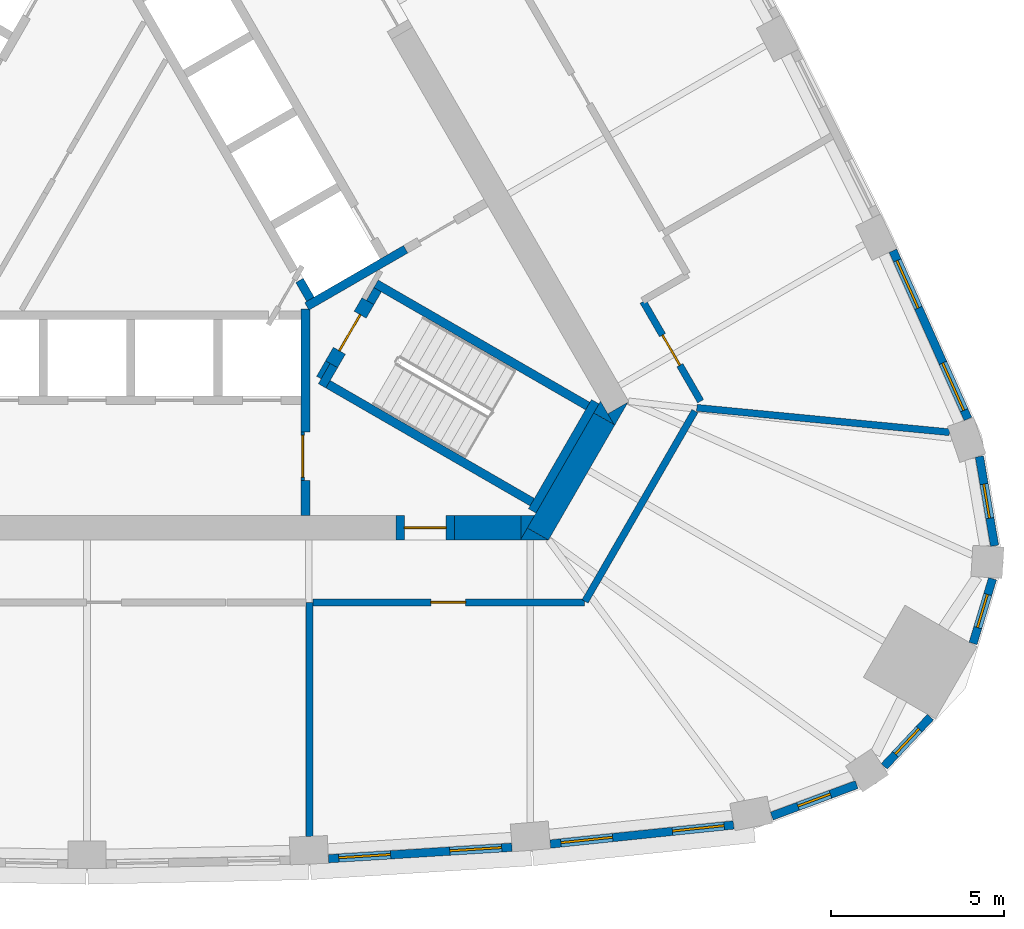
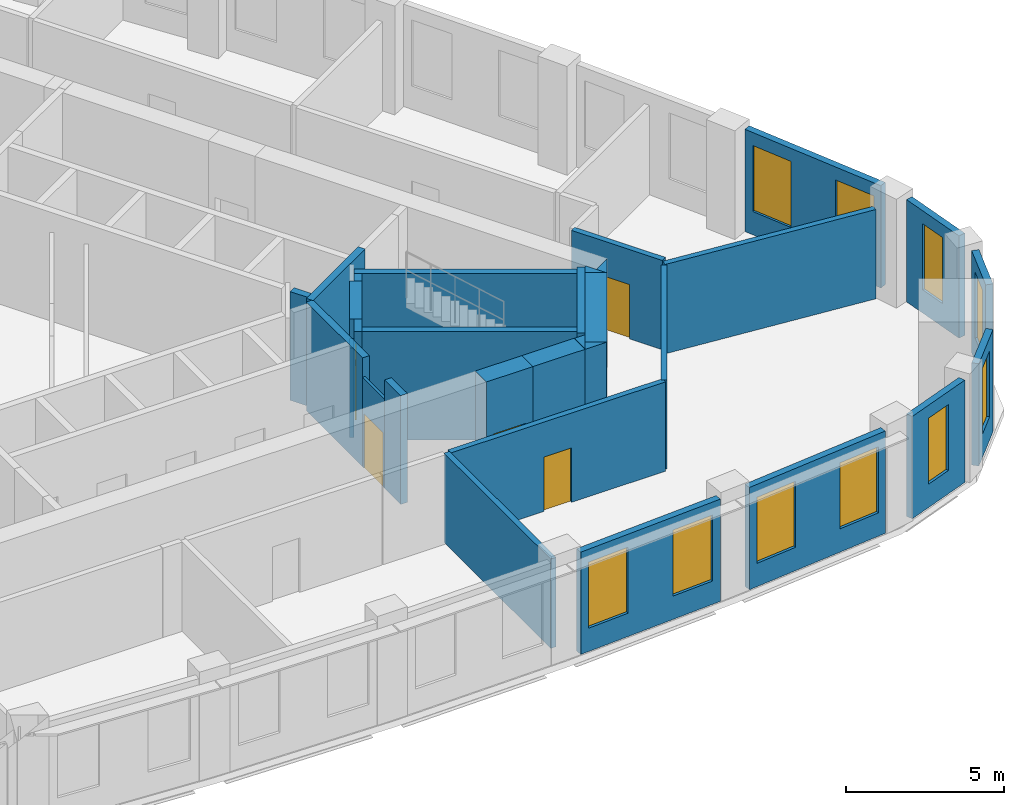
# One storey, part 6 of 10: 31 walls, 10 windows, 5 doors, 15 openings.
"""IFC4 building model written with IfcOpenShell, lengths in metres."""

import ifcopenshell
import ifcopenshell.guid

model = None  # the IFC model being written
_history = None  # IfcOwnerHistory: only IFC2X3 demands one
_inside = {}  # id of a spatial element -> (the spatial element, [elements in it])
_under = {}  # id of a project, library or spatial element -> (it, [spatial elements below it])
_declared = {}  # id of a project -> (the project, [libraries it declares])
_typed = {}  # id of a type object -> (the type object, [elements of that type])
_made_of = {}  # id of a material, layer set ... -> (it, [elements and type objects made of it])


def new_model(schema):
    """Start an empty IFC model of exactly this schema.

    Asked for "IFC4X3", IfcOpenShell would pick the latest addendum, in which some entities
    have other attributes; the version numbers below select the first issue.
    IFC2X3 requires an IfcOwnerHistory on every rooted entity: one is made here for all.
    """
    global model, _history
    if schema == "IFC4X3":
        model = ifcopenshell.file(schema_version=(4, 3, 0, 0))
    else:
        model = ifcopenshell.file(schema=schema)
    _inside.clear()
    _under.clear()
    _declared.clear()
    _typed.clear()
    _made_of.clear()
    _history = None
    if model.schema == "IFC2X3":
        org = make("IfcOrganization", Name="unknown")
        user = make(
            "IfcPersonAndOrganization",
            ThePerson=make("IfcPerson", FamilyName="unknown"),
            TheOrganization=org,
        )
        app = make(
            "IfcApplication",
            ApplicationDeveloper=org,
            Version="unknown",
            ApplicationFullName="unknown",
            ApplicationIdentifier="unknown",
        )
        _history = make(
            "IfcOwnerHistory",
            OwningUser=user,
            OwningApplication=app,
            ChangeAction="ADDED",
            CreationDate=0,
        )
    return model


def make(cls, **values):
    """One entity of the class cls with the attributes given. An attribute that is None is left unset."""
    return model.create_entity(
        cls, **{name: value for name, value in values.items() if value is not None}
    )


def rooted(cls, **values):
    """An entity with a GlobalId (a new one), such as an element, a storey or a relation."""
    return make(cls, GlobalId=ifcopenshell.guid.new(), OwnerHistory=_history, **values)


def si_unit(unit_type, name, prefix=None):
    """IfcSIUnit, for example si_unit("LENGTHUNIT", "METRE", prefix="MILLI")."""
    return make("IfcSIUnit", UnitType=unit_type, Prefix=prefix, Name=name)


def assignment(units):
    """IfcUnitAssignment: the units of a project."""
    return None if units is None else make("IfcUnitAssignment", Units=units)


def point(xyz):
    """IfcCartesianPoint."""
    return None if xyz is None else make("IfcCartesianPoint", Coordinates=xyz)


def direction(xyz):
    """IfcDirection."""
    return None if xyz is None else make("IfcDirection", DirectionRatios=xyz)


def frame(location, z_axis=None, x_axis=None):
    """IfcAxis2Placement3D, a coordinate frame: its origin and axes. An axis left out is left unset."""
    return make(
        "IfcAxis2Placement3D",
        Location=point(location),
        Axis=direction(z_axis),
        RefDirection=direction(x_axis),
    )


def frame_2d(location, x_axis=None):
    """IfcAxis2Placement2D, a coordinate frame in the plane: its origin and x axis."""
    return make(
        "IfcAxis2Placement2D", Location=point(location), RefDirection=direction(x_axis)
    )


def origin():
    """The frame at (0, 0, 0) with its axes left unset."""
    return frame((0.0, 0.0, 0.0))


def place(relative_to, where):
    """IfcLocalPlacement: puts the frame where relative to a parent placement (None: the world)."""
    return make(
        "IfcLocalPlacement", PlacementRelTo=relative_to, RelativePlacement=where
    )


def context(
    kind, dimensions, precision=None, world=None, true_north=None, identifier=None
):
    """IfcGeometricRepresentationContext, for example the 3D "Model" context."""
    return make(
        "IfcGeometricRepresentationContext",
        ContextIdentifier=identifier,
        ContextType=kind,
        CoordinateSpaceDimension=dimensions,
        Precision=precision,
        WorldCoordinateSystem=world,
        TrueNorth=true_north,
    )


def subcontext(parent, identifier, kind, view, scale=None):
    """IfcGeometricRepresentationSubContext, for example "Body" below "Model"."""
    return make(
        "IfcGeometricRepresentationSubContext",
        ContextIdentifier=identifier,
        ContextType=kind,
        ParentContext=parent,
        TargetScale=scale,
        TargetView=view,
    )


def project(units=None, contexts=None):
    """IfcProject with its units and contexts."""
    return rooted(
        "IfcProject",
        Name="project",
        RepresentationContexts=contexts,
        UnitsInContext=assignment(units),
    )


def spatial(cls, under=None, at=None, **own):
    """A site, building, storey or space (cls), placed at a placement, below another one or the project."""
    s = rooted(cls, ObjectPlacement=at, **own)
    if under is not None:
        _under.setdefault(under.id(), (under, []))[1].append(s)
    return s


def polyline(points):
    """IfcPolyline through the points."""
    return make("IfcPolyline", Points=[point(p) for p in points])


def profile(cls, at=None, kind="AREA", **sizes):
    """A parametric profile (cls). Its sizes go by their IFC names, for example OverallWidth=200.0."""
    return make(cls, ProfileType=kind, Position=at, **sizes)


def rectangle(**sizes):
    """IfcRectangleProfileDef."""
    return profile("IfcRectangleProfileDef", **sizes)


def outline(outer, holes=None, kind="AREA"):
    """IfcArbitraryClosedProfileDef: a profile drawn as a closed curve; with holes, ...WithVoids."""
    if holes is None:
        return make("IfcArbitraryClosedProfileDef", ProfileType=kind, OuterCurve=outer)
    return make(
        "IfcArbitraryProfileDefWithVoids",
        ProfileType=kind,
        OuterCurve=outer,
        InnerCurves=holes,
    )


def extrude(swept, where, along, depth):
    """IfcExtrudedAreaSolid: the profile swept, set in the frame where, extruded along a direction by depth."""
    return make(
        "IfcExtrudedAreaSolid",
        SweptArea=swept,
        Position=where,
        ExtrudedDirection=direction(along),
        Depth=depth,
    )


def shape(context_of_items, identifier, shape_type, items):
    """IfcShapeRepresentation: the items that make up one representation, for example the "Body"."""
    return make(
        "IfcShapeRepresentation",
        ContextOfItems=context_of_items,
        RepresentationIdentifier=identifier,
        RepresentationType=shape_type,
        Items=items,
    )


def material(Name=None, Category=None):
    """IfcMaterial."""
    return make("IfcMaterial", Name=Name, Category=Category)


def layer(
    of_material, thickness, ventilated=None, Name=None, Category=None, Priority=None
):
    """IfcMaterialLayer: one layer of a wall or slab, of a material (None: an air gap)."""
    return make(
        "IfcMaterialLayer",
        Material=of_material,
        LayerThickness=thickness,
        IsVentilated=ventilated,
        Name=Name,
        Category=Category,
        Priority=Priority,
    )


def layer_set(layers, Name=None):
    """IfcMaterialLayerSet."""
    return make("IfcMaterialLayerSet", MaterialLayers=layers, LayerSetName=Name)


def made_of(thing, what):
    """Note that an element or type object is made of a material, layer set ...; save() writes the relation."""
    if what is not None:
        _made_of.setdefault(what.id(), (what, []))[1].append(thing)
    return thing


def type_object(cls, material=None, **own):
    """A type object (cls), such as IfcWallType, which elements share."""
    return made_of(rooted(cls, **own), material)


def element(
    cls,
    number,
    at=None,
    inside=None,
    cuts=None,
    type_object=None,
    material=None,
    context=None,
    identifier="Body",
    shape_type=None,
    held_by="IfcProductDefinitionShape",
    body=None,
    shapes=None,
    **own,
):
    """One element of the class cls, such as IfcWall. Its Tag is "e" and its number.

    at: its placement. inside: the storey or other place that contains it. cuts: it is an
    opening in that element (IfcRelVoidsElement). A single representation is given by context,
    identifier, shape_type and body (its items); several are given by shapes. held_by: the class
    of the entity that holds the representations. save() writes the other relations.
    """
    e = rooted(cls, Tag="e%d" % number, ObjectPlacement=at, **own)
    if body is not None:
        shapes = [shape(context, identifier, shape_type, body)]
    if shapes is not None:
        e.Representation = make(held_by, Representations=shapes)
    if inside is not None:
        _inside.setdefault(inside.id(), (inside, []))[1].append(e)
    if cuts is not None:
        rooted(
            "IfcRelVoidsElement", RelatingBuildingElement=cuts, RelatedOpeningElement=e
        )
    if type_object is not None:
        _typed.setdefault(type_object.id(), (type_object, []))[1].append(e)
    return made_of(e, material)


def fill(opening, filler):
    """IfcRelFillsElement: the door or window that sits in an opening."""
    return rooted(
        "IfcRelFillsElement",
        RelatingOpeningElement=opening,
        RelatedBuildingElement=filler,
    )


def aggregate(whole, parts):
    """IfcRelAggregates: a whole, such as a stair, and the parts it consists of."""
    return rooted("IfcRelAggregates", RelatingObject=whole, RelatedObjects=parts)


def save(model, path):
    """Write the relations noted so far, then the file.

    IfcRelAggregates (storeys below a building ...), IfcRelContainedInSpatialStructure (elements
    in a storey), IfcRelDefinesByType, IfcRelAssociatesMaterial and IfcRelDeclares: one each for
    every whole, place, type object, material and project.
    """
    for whole, parts in _under.values():
        aggregate(whole, parts)
    for where, things in _inside.values():
        rooted(
            "IfcRelContainedInSpatialStructure",
            RelatedElements=things,
            RelatingStructure=where,
        )
    for kind, things in _typed.values():
        rooted("IfcRelDefinesByType", RelatedObjects=things, RelatingType=kind)
    for what, things in _made_of.values():
        rooted("IfcRelAssociatesMaterial", RelatedObjects=things, RelatingMaterial=what)
    for by, libraries in _declared.values():
        rooted("IfcRelDeclares", RelatingContext=by, RelatedDefinitions=libraries)
    model.write(path)


model = new_model("IFC4")

# Units and contexts
model_context = context("Model", 3, precision=1e-05, world=origin(), true_north=direction((0.0, 1.0)))
body_context = subcontext(model_context, "Body", "Model", "MODEL_VIEW")
ifc_project = project(units=[si_unit("LENGTHUNIT", "METRE"), si_unit("AREAUNIT", "SQUARE_METRE"), si_unit("VOLUMEUNIT", "CUBIC_METRE"), si_unit("PLANEANGLEUNIT", "RADIAN"), si_unit("MASSUNIT", "GRAM", prefix="KILO")], contexts=[model_context])

# Site, building, storey
site_placement = place(None, origin())
site = spatial("IfcSite", under=ifc_project, at=site_placement, CompositionType="ELEMENT")
building_placement = place(site_placement, origin())
building = spatial("IfcBuilding", under=site, at=building_placement, Name="Mestral Congress Tower", CompositionType="ELEMENT")
storey_placement = place(building_placement, frame((0.0, 0.0, 222.60009765625)))
storey = spatial("IfcBuildingStorey", under=building, at=storey_placement, Name="L52", CompositionType="ELEMENT", Elevation=222.60009765625)

# Wall
ifc_material_1 = material(Name="Fire-rated board partition")
ifc_layer_1 = layer(ifc_material_1, 0.14990234375)
ifc_layer_set_1 = layer_set([ifc_layer_1], Name="Fire-rated board partition")
wall_type_1 = type_object("IfcWallType", Name="Core partition 150", PredefinedType="PARTITIONING", material=ifc_layer_set_1)
wall_1_placement = place(storey_placement, frame((6.94482421875, -5.22216796875, 0.0), z_axis=(0.0, 0.0, 1.0), x_axis=(-0.499818422106, -0.866130212453, 0.0)))
element("IfcWall", 1, at=wall_1_placement, inside=storey, type_object=wall_type_1, Name="L52 core wall", PredefinedType="PARTITIONING", context=body_context, shape_type="SweptSolid", body=[
    extrude(rectangle(XDim=0.513916015625, YDim=0.14990234375, at=frame_2d((0.2568359375, 0.0))), origin(), (0.0, 0.0, 1.0), 3.449951171875),
])

# Wall, opening, door
ifc_layer_2 = layer(ifc_material_1, 0.090087890625)
ifc_layer_set_2 = layer_set([ifc_layer_2], Name="Fire-rated board partition")
wall_type_2 = type_object("IfcWallType", Name="Core partition 150 door-wall 90", PredefinedType="PARTITIONING", material=ifc_layer_set_2)
wall_2_placement = place(storey_placement, frame((6.219970703125, -7.23681640625, 0.0), z_axis=(0.0, 0.0, 1.0), x_axis=(0.0, -1.0, 0.0)))
wall_2 = element("IfcWall", 2, at=wall_2_placement, inside=storey, type_object=wall_type_2, Name="L52 door wall", PredefinedType="PARTITIONING", context=body_context, shape_type="SweptSolid", body=[
    extrude(rectangle(XDim=1.400146484375, YDim=0.090087890625, at=frame_2d((0.7001953125, 0.0))), origin(), (0.0, 0.0, 1.0), 3.449951171875),
])
opening_1_placement = place(wall_2_placement, frame((0.10009765625, 0.0, 0.0)))
opening_1 = element("IfcOpeningElement", 3, at=opening_1_placement, cuts=wall_2, Name="Opening LB0-WL1", PredefinedType="OPENING", context=body_context, shape_type="SweptSolid", body=[
    extrude(rectangle(XDim=1.199951171875, YDim=2.10009765625, at=frame_2d((0.60009765625, 1.050048828125))), frame((0.0, 0.054931640625, 0.0), z_axis=(0.0, -1.0, 0.0), x_axis=(1.0, 0.0, 0.0)), (0.0, 0.0, 1.0), 0.110107421875),
])
ifc_material_2 = material(Name="Fire-rated steel door set", Category="steel")
door_type_1 = type_object("IfcDoorType", Name="Core door LB 1200x2100", OperationType="SINGLE_SWING_LEFT", PredefinedType="DOOR", material=ifc_material_2)
door_1_placement = place(opening_1_placement, origin())
door_1 = element("IfcDoor", 4, at=door_1_placement, inside=storey, type_object=door_type_1, Name="Door LB0-WL1", OperationType="SINGLE_SWING_LEFT", OverallHeight=2.10009765625, OverallWidth=1.199951171875, PredefinedType="DOOR", context=body_context, shape_type="SweptSolid", body=[
    extrude(rectangle(XDim=1.199951171875, YDim=2.10009765625, at=frame_2d((0.60009765625, 1.050048828125))), frame((0.0, 0.02490234375, 0.0), z_axis=(0.0, -1.0, 0.0), x_axis=(1.0, 0.0, 0.0)), (0.0, 0.0, 1.0), 0.050048828125),
])
fill(opening_1, door_1)

# Walls
ifc_material_3 = material(Name="Concrete C60/75", Category="concrete")
ifc_layer_3 = layer(ifc_material_3, 0.699951171875)
ifc_layer_set_3 = layer_set([ifc_layer_3], Name="Concrete C60/75")
wall_type_3 = type_object("IfcWallType", Name="Core wall RC 700", PredefinedType="SOLIDWALL", material=ifc_layer_set_3)
placement = place(storey_placement, origin())
element("IfcWall", 5, at=placement, inside=storey, type_object=wall_type_3, Name="L52 core wall", PredefinedType="SOLIDWALL", context=body_context, shape_type="SweptSolid", body=[
    extrude(outline(polyline([(15.213134765625, -7.050048828125), (15.019287109375, -6.714111328125), (15.60107421875, -6.3779296875), (15.213134765625, -7.050048828125)])), origin(), (0.0, 0.0, 1.0), 4.199951171875),
])
wall_4_placement = place(storey_placement, frame((13.002685546875, -10.1787109375, 0.0), z_axis=(0.0, 0.0, 1.0), x_axis=(0.499972675833, 0.866041178825, 0.0)))
element("IfcWall", 6, at=wall_4_placement, inside=storey, type_object=wall_type_3, Name="L52 core wall", PredefinedType="SOLIDWALL", context=body_context, shape_type="SweptSolid", body=[
    extrude(rectangle(XDim=3.828857421875, YDim=0.699951171875, at=frame_2d((1.91455078125, 0.0))), origin(), (0.0, 0.0, 1.0), 4.199951171875),
])
element("IfcWall", 7, at=placement, inside=storey, type_object=wall_type_3, Name="L52 core wall", PredefinedType="SOLIDWALL", context=body_context, shape_type="SweptSolid", body=[
    extrude(outline(polyline([(12.698486328125, -10.00537109375), (13.295654296875, -10.35009765625), (12.49951171875, -10.35009765625), (12.698486328125, -10.00537109375)])), origin(), (0.0, 0.0, 1.0), 4.199951171875),
])
element("IfcWall", 8, at=placement, inside=storey, type_object=wall_type_3, Name="L52 core wall", PredefinedType="SOLIDWALL", context=body_context, shape_type="SweptSolid", body=[
    extrude(outline(polyline([(14.80908203125, -6.35009765625), (15.197265625, -7.022216796875), (14.614990234375, -6.68603515625), (14.80908203125, -6.35009765625)])), origin(), (0.0, 0.0, 1.0), 4.199951171875),
])
wall_7_placement = place(storey_placement, frame((10.6044921875, -10.0, 0.0), z_axis=(0.0, 0.0, 1.0), x_axis=(1.0, 0.0, 0.0)))
element("IfcWall", 9, at=wall_7_placement, inside=storey, type_object=wall_type_3, Name="L52 core wall", PredefinedType="SOLIDWALL", context=body_context, shape_type="SweptSolid", body=[
    extrude(rectangle(XDim=1.909423828125, YDim=0.699951171875, at=frame_2d((0.95458984375, 0.0))), origin(), (0.0, 0.0, 1.0), 4.199951171875),
])
element("IfcWall", 10, at=placement, inside=storey, type_object=wall_type_3, Name="L52 core wall", PredefinedType="SOLIDWALL", context=body_context, shape_type="SweptSolid", body=[
    extrude(outline(polyline([(12.90380859375, -9.64990234375), (12.515869140625, -10.322021484375), (12.515869140625, -9.64990234375), (12.90380859375, -9.64990234375)])), origin(), (0.0, 0.0, 1.0), 4.199951171875),
])

# Wall, opening, door
wall_9_placement = place(storey_placement, frame((10.6044921875, -10.0, 0.0), z_axis=(0.0, 0.0, 1.0), x_axis=(-1.0, 0.0, 0.0)))
wall_9 = element("IfcWall", 11, at=wall_9_placement, inside=storey, type_object=wall_type_3, Name="L52 door wall", PredefinedType="SOLIDWALL", context=body_context, shape_type="SweptSolid", body=[
    extrude(rectangle(XDim=1.699951171875, YDim=0.699951171875, at=frame_2d((0.85009765625, 0.0))), origin(), (0.0, 0.0, 1.0), 4.199951171875),
])
opening_2_placement = place(wall_9_placement, frame((0.25, 0.0, 0.0)))
opening_2 = element("IfcOpeningElement", 12, at=opening_2_placement, cuts=wall_9, Name="Opening XD1", PredefinedType="OPENING", context=body_context, shape_type="SweptSolid", body=[
    extrude(rectangle(XDim=1.199951171875, YDim=2.10009765625, at=frame_2d((0.60009765625, 1.050048828125))), frame((0.0, 0.35986328125, 0.0), z_axis=(0.0, -1.0, 0.0), x_axis=(1.0, 0.0, 0.0)), (0.0, 0.0, 1.0), 0.719970703125),
])
door_type_2 = type_object("IfcDoorType", Name="Core door XD 1200x2100", OperationType="SINGLE_SWING_LEFT", PredefinedType="DOOR", material=ifc_material_2)
door_2_placement = place(opening_2_placement, origin())
door_2 = element("IfcDoor", 13, at=door_2_placement, inside=storey, type_object=door_type_2, Name="Door XD1", OperationType="SINGLE_SWING_LEFT", OverallHeight=2.10009765625, OverallWidth=1.199951171875, PredefinedType="DOOR", context=body_context, shape_type="SweptSolid", body=[
    extrude(rectangle(XDim=1.199951171875, YDim=2.10009765625, at=frame_2d((0.60009765625, 1.050048828125))), frame((0.0, 0.02490234375, 0.0), z_axis=(0.0, -1.0, 0.0), x_axis=(1.0, 0.0, 0.0)), (0.0, 0.0, 1.0), 0.050048828125),
])
fill(opening_2, door_2)

# Wall, openings, windows
ifc_material_4 = material(Name="Precast concrete C40/50 with limestone facing", Category="masonry")
ifc_layer_4 = layer(ifc_material_4, 0.239990234375)
ifc_layer_set_4 = layer_set([ifc_layer_4], Name="Precast concrete C40/50 with limestone facing")
wall_type_4 = type_object("IfcWallType", Name="Facade stone wall 240", PredefinedType="SOLIDWALL", material=ifc_layer_set_4)
wall_10_placement = place(storey_placement, frame((6.965087890625, -19.54296875, 0.0), z_axis=(0.0, 0.0, 1.0), x_axis=(0.9980633213, 0.062206162685, 0.0)))
wall_10 = element("IfcWall", 14, at=wall_10_placement, inside=storey, type_object=wall_type_4, Name="Facade wall F0-04", PredefinedType="SOLIDWALL", context=body_context, shape_type="SweptSolid", body=[
    extrude(rectangle(XDim=5.29833984375, YDim=0.239990234375, at=frame_2d((2.649169921875, 0.0))), origin(), (0.0, 0.0, 1.0), 3.949951171875),
])
opening_3_placement = place(wall_10_placement, frame((0.294677734375, 0.0, 0.89990234375)))
opening_3 = element("IfcOpeningElement", 15, at=opening_3_placement, cuts=wall_10, Name="Opening W4", PredefinedType="OPENING", context=body_context, shape_type="SweptSolid", body=[
    extrude(rectangle(XDim=1.5, YDim=2.550048828125, at=frame_2d((0.75, 1.27490234375))), frame((0.0, 0.1298828125, 0.0), z_axis=(0.0, -1.0, 0.0), x_axis=(1.0, 0.0, 0.0)), (0.0, 0.0, 1.0), 0.260009765625),
])
opening_4_placement = place(wall_10_placement, frame((3.503662109375, 0.0, 0.89990234375)))
opening_4 = element("IfcOpeningElement", 16, at=opening_4_placement, cuts=wall_10, Name="Opening W4", PredefinedType="OPENING", context=body_context, shape_type="SweptSolid", body=[
    extrude(rectangle(XDim=1.5, YDim=2.550048828125, at=frame_2d((0.75, 1.27490234375))), frame((0.0, 0.1298828125, 0.0), z_axis=(0.0, -1.0, 0.0), x_axis=(1.0, 0.0, 0.0)), (0.0, 0.0, 1.0), 0.260009765625),
])
ifc_material_5 = material(Name="Clear low-emissivity double glazing", Category="glass")
window_type_1 = type_object("IfcWindowType", Name="Facade punched window 1500 x 2550 sill 900", PartitioningType="SINGLE_PANEL", PredefinedType="WINDOW", material=ifc_material_5)
window_1_placement = place(opening_3_placement, origin())
window_1 = element("IfcWindow", 17, at=window_1_placement, inside=storey, type_object=window_type_1, Name="Window F0-04a", OverallHeight=2.550048828125, OverallWidth=1.5, PartitioningType="SINGLE_PANEL", PredefinedType="WINDOW", context=body_context, shape_type="SweptSolid", body=[
    extrude(rectangle(XDim=1.5, YDim=2.550048828125, at=frame_2d((0.75, 1.27490234375))), frame((0.0, 0.0400390625, 0.0), z_axis=(0.0, -1.0, 0.0), x_axis=(1.0, 0.0, 0.0)), (0.0, 0.0, 1.0), 0.06005859375),
])
fill(opening_3, window_1)
window_2_placement = place(opening_4_placement, origin())
window_2 = element("IfcWindow", 18, at=window_2_placement, inside=storey, type_object=window_type_1, Name="Window F0-04b", OverallHeight=2.550048828125, OverallWidth=1.5, PartitioningType="SINGLE_PANEL", PredefinedType="WINDOW", context=body_context, shape_type="SweptSolid", body=[
    extrude(rectangle(XDim=1.5, YDim=2.550048828125, at=frame_2d((0.75, 1.27490234375))), frame((0.0, 0.0400390625, 0.0), z_axis=(0.0, -1.0, 0.0), x_axis=(1.0, 0.0, 0.0)), (0.0, 0.0, 1.0), 0.06005859375),
])
fill(opening_4, window_2)

wall_11_placement = place(storey_placement, frame((13.362060546875, -19.12109375, 0.0), z_axis=(0.0, 0.0, 1.0), x_axis=(0.994621961215, 0.103571976272, 0.0)))
wall_11 = element("IfcWall", 19, at=wall_11_placement, inside=storey, type_object=wall_type_4, Name="Facade wall F0-05", PredefinedType="SOLIDWALL", context=body_context, shape_type="SweptSolid", body=[
    extrude(rectangle(XDim=5.310791015625, YDim=0.239990234375, at=frame_2d((2.6552734375, 0.0))), origin(), (0.0, 0.0, 1.0), 3.949951171875),
])
opening_5_placement = place(wall_11_placement, frame((0.306396484375, 0.0, 0.89990234375)))
opening_5 = element("IfcOpeningElement", 20, at=opening_5_placement, cuts=wall_11, Name="Opening W4", PredefinedType="OPENING", context=body_context, shape_type="SweptSolid", body=[
    extrude(rectangle(XDim=1.5, YDim=2.550048828125, at=frame_2d((0.75, 1.27490234375))), frame((0.0, 0.1298828125, 0.0), z_axis=(0.0, -1.0, 0.0), x_axis=(1.0, 0.0, 0.0)), (0.0, 0.0, 1.0), 0.260009765625),
])
opening_6_placement = place(wall_11_placement, frame((3.539306640625, 0.0, 0.89990234375)))
opening_6 = element("IfcOpeningElement", 21, at=opening_6_placement, cuts=wall_11, Name="Opening W4", PredefinedType="OPENING", context=body_context, shape_type="SweptSolid", body=[
    extrude(rectangle(XDim=1.5, YDim=2.550048828125, at=frame_2d((0.75, 1.27490234375))), frame((0.0, 0.1298828125, 0.0), z_axis=(0.0, -1.0, 0.0), x_axis=(1.0, 0.0, 0.0)), (0.0, 0.0, 1.0), 0.260009765625),
])
window_3_placement = place(opening_5_placement, origin())
window_3 = element("IfcWindow", 22, at=window_3_placement, inside=storey, type_object=window_type_1, Name="Window F0-05a", OverallHeight=2.550048828125, OverallWidth=1.5, PartitioningType="SINGLE_PANEL", PredefinedType="WINDOW", context=body_context, shape_type="SweptSolid", body=[
    extrude(rectangle(XDim=1.5, YDim=2.550048828125, at=frame_2d((0.75, 1.27490234375))), frame((0.0, 0.0400390625, 0.0), z_axis=(0.0, -1.0, 0.0), x_axis=(1.0, 0.0, 0.0)), (0.0, 0.0, 1.0), 0.06005859375),
])
fill(opening_5, window_3)
window_4_placement = place(opening_6_placement, origin())
window_4 = element("IfcWindow", 23, at=window_4_placement, inside=storey, type_object=window_type_1, Name="Window F0-05b", OverallHeight=2.550048828125, OverallWidth=1.5, PartitioningType="SINGLE_PANEL", PredefinedType="WINDOW", context=body_context, shape_type="SweptSolid", body=[
    extrude(rectangle(XDim=1.5, YDim=2.550048828125, at=frame_2d((0.75, 1.27490234375))), frame((0.0, 0.0400390625, 0.0), z_axis=(0.0, -1.0, 0.0), x_axis=(1.0, 0.0, 0.0)), (0.0, 0.0, 1.0), 0.06005859375),
])
fill(opening_6, window_4)

# Wall, opening, window
wall_12_placement = place(storey_placement, frame((19.747802734375, -18.31396484375, 0.0), z_axis=(0.0, 0.0, 1.0), x_axis=(0.937569171184, 0.347798863203, 0.0)))
wall_12 = element("IfcWall", 24, at=wall_12_placement, inside=storey, type_object=wall_type_4, Name="Facade wall K0-0", PredefinedType="SOLIDWALL", context=body_context, shape_type="SweptSolid", body=[
    extrude(rectangle(XDim=2.609130859375, YDim=0.239990234375, at=frame_2d((1.3046875, 0.0))), origin(), (0.0, 0.0, 1.0), 3.949951171875),
])
opening_7_placement = place(wall_12_placement, frame((0.8046875, 0.0, 0.89990234375)))
opening_7 = element("IfcOpeningElement", 25, at=opening_7_placement, cuts=wall_12, Name="Opening W5", PredefinedType="OPENING", context=body_context, shape_type="SweptSolid", body=[
    extrude(rectangle(XDim=1.0, YDim=2.550048828125, at=frame_2d((0.5, 1.27490234375))), frame((0.0, 0.1298828125, 0.0), z_axis=(0.0, -1.0, 0.0), x_axis=(1.0, 0.0, 0.0)), (0.0, 0.0, 1.0), 0.260009765625),
])
window_type_2 = type_object("IfcWindowType", Name="Facade punched window 1000 x 2550 sill 900", PartitioningType="SINGLE_PANEL", PredefinedType="WINDOW", material=ifc_material_5)
window_5_placement = place(opening_7_placement, origin())
window_5 = element("IfcWindow", 26, at=window_5_placement, inside=storey, type_object=window_type_2, Name="Window K0-0", OverallHeight=2.550048828125, OverallWidth=1.0, PartitioningType="SINGLE_PANEL", PredefinedType="WINDOW", context=body_context, shape_type="SweptSolid", body=[
    extrude(rectangle(XDim=1.0, YDim=2.550048828125, at=frame_2d((0.5, 1.27490234375))), frame((0.0, 0.0400390625, 0.0), z_axis=(0.0, -1.0, 0.0), x_axis=(1.0, 0.0, 0.0)), (0.0, 0.0, 1.0), 0.06005859375),
])
fill(opening_7, window_5)

wall_13_placement = place(storey_placement, frame((22.989013671875, -16.87890625, 0.0), z_axis=(0.0, 0.0, 1.0), x_axis=(0.684770274166, 0.728758994194, 0.0)))
wall_13 = element("IfcWall", 27, at=wall_13_placement, inside=storey, type_object=wall_type_4, Name="Facade wall K0-1", PredefinedType="SOLIDWALL", context=body_context, shape_type="SweptSolid", body=[
    extrude(rectangle(XDim=1.947998046875, YDim=0.239990234375, at=frame_2d((0.97412109375, 0.0))), origin(), (0.0, 0.0, 1.0), 3.949951171875),
])
opening_8_placement = place(wall_13_placement, frame((0.47412109375, 0.0, 0.89990234375)))
opening_8 = element("IfcOpeningElement", 28, at=opening_8_placement, cuts=wall_13, Name="Opening W5", PredefinedType="OPENING", context=body_context, shape_type="SweptSolid", body=[
    extrude(rectangle(XDim=1.0, YDim=2.550048828125, at=frame_2d((0.5, 1.27490234375))), frame((0.0, 0.1298828125, 0.0), z_axis=(0.0, -1.0, 0.0), x_axis=(1.0, 0.0, 0.0)), (0.0, 0.0, 1.0), 0.260009765625),
])
window_6_placement = place(opening_8_placement, origin())
window_6 = element("IfcWindow", 29, at=window_6_placement, inside=storey, type_object=window_type_2, Name="Window K0-1", OverallHeight=2.550048828125, OverallWidth=1.0, PartitioningType="SINGLE_PANEL", PredefinedType="WINDOW", context=body_context, shape_type="SweptSolid", body=[
    extrude(rectangle(XDim=1.0, YDim=2.550048828125, at=frame_2d((0.5, 1.27490234375))), frame((0.0, 0.0400390625, 0.0), z_axis=(0.0, -1.0, 0.0), x_axis=(1.0, 0.0, 0.0)), (0.0, 0.0, 1.0), 0.06005859375),
])
fill(opening_8, window_6)

wall_14_placement = place(storey_placement, frame((25.5498046875, -13.334716796875, 0.0), z_axis=(0.0, 0.0, 1.0), x_axis=(0.288727209095, 0.957411405159, 0.0)))
wall_14 = element("IfcWall", 30, at=wall_14_placement, inside=storey, type_object=wall_type_4, Name="Facade wall K0-2", PredefinedType="SOLIDWALL", context=body_context, shape_type="SweptSolid", body=[
    extrude(rectangle(XDim=1.9482421875, YDim=0.239990234375, at=frame_2d((0.97412109375, 0.0))), origin(), (0.0, 0.0, 1.0), 3.949951171875),
])
opening_9_placement = place(wall_14_placement, frame((0.47412109375, 0.0, 0.89990234375)))
opening_9 = element("IfcOpeningElement", 31, at=opening_9_placement, cuts=wall_14, Name="Opening W5", PredefinedType="OPENING", context=body_context, shape_type="SweptSolid", body=[
    extrude(rectangle(XDim=1.0, YDim=2.550048828125, at=frame_2d((0.5, 1.27490234375))), frame((0.0, 0.1298828125, 0.0), z_axis=(0.0, -1.0, 0.0), x_axis=(1.0, 0.0, 0.0)), (0.0, 0.0, 1.0), 0.260009765625),
])
window_7_placement = place(opening_9_placement, origin())
window_7 = element("IfcWindow", 32, at=window_7_placement, inside=storey, type_object=window_type_2, Name="Window K0-2", OverallHeight=2.550048828125, OverallWidth=1.0, PartitioningType="SINGLE_PANEL", PredefinedType="WINDOW", context=body_context, shape_type="SweptSolid", body=[
    extrude(rectangle(XDim=1.0, YDim=2.550048828125, at=frame_2d((0.5, 1.27490234375))), frame((0.0, 0.0400390625, 0.0), z_axis=(0.0, -1.0, 0.0), x_axis=(1.0, 0.0, 0.0)), (0.0, 0.0, 1.0), 0.06005859375),
])
fill(opening_9, window_7)

wall_15_placement = place(storey_placement, frame((26.171630859375, -10.517333984375, 0.0), z_axis=(0.0, 0.0, 1.0), x_axis=(-0.167660055546, 0.985844869021, 0.0)))
wall_15 = element("IfcWall", 33, at=wall_15_placement, inside=storey, type_object=wall_type_4, Name="Facade wall K0-3", PredefinedType="SOLIDWALL", context=body_context, shape_type="SweptSolid", body=[
    extrude(rectangle(XDim=2.609375, YDim=0.239990234375, at=frame_2d((1.3046875, 0.0))), origin(), (0.0, 0.0, 1.0), 3.949951171875),
])
opening_10_placement = place(wall_15_placement, frame((0.8046875, 0.0, 0.89990234375)))
opening_10 = element("IfcOpeningElement", 34, at=opening_10_placement, cuts=wall_15, Name="Opening W5", PredefinedType="OPENING", context=body_context, shape_type="SweptSolid", body=[
    extrude(rectangle(XDim=1.0, YDim=2.550048828125, at=frame_2d((0.5, 1.27490234375))), frame((0.0, 0.1298828125, 0.0), z_axis=(0.0, -1.0, 0.0), x_axis=(1.0, 0.0, 0.0)), (0.0, 0.0, 1.0), 0.260009765625),
])
window_8_placement = place(opening_10_placement, origin())
window_8 = element("IfcWindow", 35, at=window_8_placement, inside=storey, type_object=window_type_2, Name="Window K0-3", OverallHeight=2.550048828125, OverallWidth=1.0, PartitioningType="SINGLE_PANEL", PredefinedType="WINDOW", context=body_context, shape_type="SweptSolid", body=[
    extrude(rectangle(XDim=1.0, YDim=2.550048828125, at=frame_2d((0.5, 1.27490234375))), frame((0.0, 0.0400390625, 0.0), z_axis=(0.0, -1.0, 0.0), x_axis=(1.0, 0.0, 0.0)), (0.0, 0.0, 1.0), 0.06005859375),
])
fill(opening_10, window_8)

# Wall, openings, windows
wall_16_placement = place(storey_placement, frame((25.405029296875, -6.86083984375, 0.0), z_axis=(0.0, 0.0, 1.0), x_axis=(-0.407579651789, 0.913169659728, 0.0)))
wall_16 = element("IfcWall", 36, at=wall_16_placement, inside=storey, type_object=wall_type_4, Name="Facade wall F1-00", PredefinedType="SOLIDWALL", context=body_context, shape_type="SweptSolid", body=[
    extrude(rectangle(XDim=5.310791015625, YDim=0.239990234375, at=frame_2d((2.6552734375, 0.0))), origin(), (0.0, 0.0, 1.0), 3.949951171875),
])
opening_11_placement = place(wall_16_placement, frame((0.271484375, 0.0, 0.89990234375)))
opening_11 = element("IfcOpeningElement", 37, at=opening_11_placement, cuts=wall_16, Name="Opening W4", PredefinedType="OPENING", context=body_context, shape_type="SweptSolid", body=[
    extrude(rectangle(XDim=1.5, YDim=2.550048828125, at=frame_2d((0.75, 1.27490234375))), frame((0.0, 0.1298828125, 0.0), z_axis=(0.0, -1.0, 0.0), x_axis=(1.0, 0.0, 0.0)), (0.0, 0.0, 1.0), 0.260009765625),
])
opening_12_placement = place(wall_16_placement, frame((3.50439453125, 0.0, 0.89990234375)))
opening_12 = element("IfcOpeningElement", 38, at=opening_12_placement, cuts=wall_16, Name="Opening W4", PredefinedType="OPENING", context=body_context, shape_type="SweptSolid", body=[
    extrude(rectangle(XDim=1.5, YDim=2.550048828125, at=frame_2d((0.75, 1.27490234375))), frame((0.0, 0.1298828125, 0.0), z_axis=(0.0, -1.0, 0.0), x_axis=(1.0, 0.0, 0.0)), (0.0, 0.0, 1.0), 0.260009765625),
])
window_9_placement = place(opening_11_placement, origin())
window_9 = element("IfcWindow", 39, at=window_9_placement, inside=storey, type_object=window_type_1, Name="Window F1-00a", OverallHeight=2.550048828125, OverallWidth=1.5, PartitioningType="SINGLE_PANEL", PredefinedType="WINDOW", context=body_context, shape_type="SweptSolid", body=[
    extrude(rectangle(XDim=1.5, YDim=2.550048828125, at=frame_2d((0.75, 1.27490234375))), frame((0.0, 0.0400390625, 0.0), z_axis=(0.0, -1.0, 0.0), x_axis=(1.0, 0.0, 0.0)), (0.0, 0.0, 1.0), 0.06005859375),
])
fill(opening_11, window_9)
window_10_placement = place(opening_12_placement, origin())
window_10 = element("IfcWindow", 40, at=window_10_placement, inside=storey, type_object=window_type_1, Name="Window F1-00b", OverallHeight=2.550048828125, OverallWidth=1.5, PartitioningType="SINGLE_PANEL", PredefinedType="WINDOW", context=body_context, shape_type="SweptSolid", body=[
    extrude(rectangle(XDim=1.5, YDim=2.550048828125, at=frame_2d((0.75, 1.27490234375))), frame((0.0, 0.0400390625, 0.0), z_axis=(0.0, -1.0, 0.0), x_axis=(1.0, 0.0, 0.0)), (0.0, 0.0, 1.0), 0.06005859375),
])
fill(opening_12, window_10)

# Walls
ifc_material_6 = material(Name="Dense masonry wall, plastered", Category="masonry")
ifc_layer_5 = layer(ifc_material_6, 0.199951171875)
ifc_layer_set_5 = layer_set([ifc_layer_5], Name="Dense masonry wall, plastered")
wall_type_5 = type_object("IfcWallType", Name="Office tenancy wall 200", PredefinedType="PARTITIONING", material=ifc_layer_set_5)
wall_17_placement = place(storey_placement, frame((6.416748046875, -12.14990234375, 0.0), z_axis=(0.0, 0.0, 1.0), x_axis=(0.0, -1.0, 0.0)))
element("IfcWall", 41, at=wall_17_placement, inside=storey, type_object=wall_type_5, Name="Tenancy wall", PredefinedType="PARTITIONING", context=body_context, shape_type="SweptSolid", body=[
    extrude(rectangle(XDim=6.746826171875, YDim=0.199951171875, at=frame_2d((3.37353515625, 0.0))), origin(), (0.0, 0.0, 1.0), 3.449951171875),
])
wall_18_placement = place(storey_placement, frame((17.5859375, -6.540283203125, 0.0), z_axis=(0.0, 0.0, 1.0), x_axis=(0.995357542522, -0.096246363795, 0.0)))
element("IfcWall", 42, at=wall_18_placement, inside=storey, type_object=wall_type_5, Name="Tenancy wall", PredefinedType="PARTITIONING", context=body_context, shape_type="SweptSolid", body=[
    extrude(rectangle(XDim=7.318115234375, YDim=0.199951171875, at=frame_2d((3.6591796875, 0.0))), origin(), (0.0, 0.0, 1.0), 3.449951171875),
])

# Wall, opening, door
wall_19_placement = place(storey_placement, frame((6.516845703125, -12.14990234375, 0.0), z_axis=(0.0, 0.0, 1.0), x_axis=(1.0, 0.0, 0.0)))
wall_19 = element("IfcWall", 43, at=wall_19_placement, inside=storey, type_object=wall_type_5, Name="Tenancy wall", PredefinedType="PARTITIONING", context=body_context, shape_type="SweptSolid", body=[
    extrude(rectangle(XDim=7.830322265625, YDim=0.199951171875, at=frame_2d((3.9150390625, 0.0))), origin(), (0.0, 0.0, 1.0), 3.449951171875),
])
opening_13_placement = place(wall_19_placement, frame((3.39990234375, 0.0, 0.0)))
opening_13 = element("IfcOpeningElement", 44, at=opening_13_placement, cuts=wall_19, Name="Opening O07-002", PredefinedType="OPENING", context=body_context, shape_type="SweptSolid", body=[
    extrude(rectangle(XDim=1.0, YDim=2.10009765625, at=frame_2d((0.5, 1.050048828125))), frame((0.0, 0.10986328125, 0.0), z_axis=(0.0, -1.0, 0.0), x_axis=(1.0, 0.0, 0.0)), (0.0, 0.0, 1.0), 0.219970703125),
])
ifc_material_7 = material(Name="Fire-rated timber door set", Category="wood")
door_type_3 = type_object("IfcDoorType", Name="Office tenancy entrance door 1000x2100", OperationType="SINGLE_SWING_LEFT", PredefinedType="DOOR", material=ifc_material_7)
door_3_placement = place(opening_13_placement, origin())
door_3 = element("IfcDoor", 45, at=door_3_placement, inside=storey, type_object=door_type_3, Name="Door O07-002", OperationType="SINGLE_SWING_LEFT", OverallHeight=2.10009765625, OverallWidth=1.0, PredefinedType="DOOR", context=body_context, shape_type="SweptSolid", body=[
    extrude(rectangle(XDim=1.0, YDim=2.10009765625, at=frame_2d((0.5, 1.050048828125))), frame((0.0, 0.02490234375, 0.0), z_axis=(0.0, -1.0, 0.0), x_axis=(1.0, 0.0, 0.0)), (0.0, 0.0, 1.0), 0.050048828125),
])
fill(opening_13, door_3)

# Wall
wall_20_placement = place(storey_placement, frame((14.362060546875, -12.1240234375, 0.0), z_axis=(0.0, 0.0, 1.0), x_axis=(0.500017005442, 0.866015585465, 0.0)))
element("IfcWall", 46, at=wall_20_placement, inside=storey, type_object=wall_type_5, Name="Tenancy wall", PredefinedType="PARTITIONING", context=body_context, shape_type="SweptSolid", body=[
    extrude(rectangle(XDim=6.337646484375, YDim=0.199951171875, at=frame_2d((3.1689453125, 0.0))), origin(), (0.0, 0.0, 1.0), 3.449951171875),
])

# Wall, opening, door
wall_21_placement = place(storey_placement, frame((17.69580078125, -6.35009765625, 0.0), z_axis=(0.0, 0.0, 1.0), x_axis=(-0.500017629075, 0.866015225394, 0.0)))
wall_21 = element("IfcWall", 47, at=wall_21_placement, inside=storey, type_object=wall_type_5, Name="Tenancy wall", PredefinedType="PARTITIONING", context=body_context, shape_type="SweptSolid", body=[
    extrude(rectangle(XDim=3.3173828125, YDim=0.199951171875, at=frame_2d((1.65869140625, 0.0))), origin(), (0.0, 0.0, 1.0), 3.449951171875),
])
opening_14_placement = place(wall_21_placement, frame((1.199951171875, 0.0, 0.0)))
opening_14 = element("IfcOpeningElement", 48, at=opening_14_placement, cuts=wall_21, Name="Opening O07-003", PredefinedType="OPENING", context=body_context, shape_type="SweptSolid", body=[
    extrude(rectangle(XDim=1.0, YDim=2.10009765625, at=frame_2d((0.5, 1.050048828125))), frame((0.0, 0.10986328125, 0.0), z_axis=(0.0, -1.0, 0.0), x_axis=(1.0, 0.0, 0.0)), (0.0, 0.0, 1.0), 0.219970703125),
])
door_4_placement = place(opening_14_placement, origin())
door_4 = element("IfcDoor", 49, at=door_4_placement, inside=storey, type_object=door_type_3, Name="Door O07-003", OperationType="SINGLE_SWING_RIGHT", OverallHeight=2.10009765625, OverallWidth=1.0, PredefinedType="DOOR", context=body_context, shape_type="SweptSolid", body=[
    extrude(rectangle(XDim=1.0, YDim=2.10009765625, at=frame_2d((0.5, 1.050048828125))), frame((0.0, 0.02490234375, 0.0), z_axis=(0.0, -1.0, 0.0), x_axis=(1.0, 0.0, 0.0)), (0.0, 0.0, 1.0), 0.050048828125),
])
fill(opening_14, door_4)

# Walls
ifc_layer_6 = layer(ifc_material_3, 0.25)
ifc_layer_set_6 = layer_set([ifc_layer_6], Name="Concrete C60/75")
wall_type_6 = type_object("IfcWallType", Name="Shaft wall RC 250", PredefinedType="SOLIDWALL", material=ifc_layer_set_6)
wall_22_placement = place(storey_placement, frame((6.300048828125, -7.239990234375, 0.0), z_axis=(0.0, 0.0, 1.0), x_axis=(0.0, 1.0, 0.0)))
element("IfcWall", 50, at=wall_22_placement, inside=storey, type_object=wall_type_6, Name="L52 core wall", PredefinedType="SOLIDWALL", context=body_context, shape_type="SweptSolid", body=[
    extrude(rectangle(XDim=3.55615234375, YDim=0.25, at=frame_2d((1.778076171875, 0.0))), origin(), (0.0, 0.0, 1.0), 4.199951171875),
])
wall_23_placement = place(storey_placement, frame((6.300048828125, -9.64990234375, 0.0), z_axis=(0.0, 0.0, 1.0), x_axis=(0.0, 1.0, 0.0)))
element("IfcWall", 51, at=wall_23_placement, inside=storey, type_object=wall_type_6, Name="L52 core wall", PredefinedType="SOLIDWALL", context=body_context, shape_type="SweptSolid", body=[
    extrude(rectangle(XDim=1.0078125, YDim=0.25, at=frame_2d((0.50390625, 0.0))), origin(), (0.0, 0.0, 1.0), 4.199951171875),
])
wall_24_placement = place(storey_placement, frame((9.190185546875, -1.96875, 0.0), z_axis=(0.0, 0.0, 1.0), x_axis=(-0.866057109641, -0.499945079824, 0.0)))
element("IfcWall", 52, at=wall_24_placement, inside=storey, type_object=wall_type_6, Name="L52 core wall", PredefinedType="SOLIDWALL", context=body_context, shape_type="SweptSolid", body=[
    extrude(rectangle(XDim=3.290771484375, YDim=0.25, at=frame_2d((1.6455078125, 0.0))), origin(), (0.0, 0.0, 1.0), 4.199951171875),
])
wall_25_placement = place(storey_placement, frame((6.1298828125, -2.867431640625, 0.0), z_axis=(0.0, 0.0, 1.0), x_axis=(0.500160776593, -0.865932559475, 0.0)))
element("IfcWall", 53, at=wall_25_placement, inside=storey, type_object=wall_type_6, Name="L52 core wall", PredefinedType="SOLIDWALL", context=body_context, shape_type="SweptSolid", body=[
    extrude(rectangle(XDim=0.626708984375, YDim=0.25, at=frame_2d((0.3134765625, 0.0))), origin(), (0.0, 0.0, 1.0), 4.199951171875),
])
ifc_layer_7 = layer(ifc_material_3, 0.25)
ifc_layer_set_7 = layer_set([ifc_layer_7], Name="Concrete C60/75")
wall_type_7 = type_object("IfcWallType", Name="Stair wall RC 250", PredefinedType="SOLIDWALL", material=ifc_layer_set_7)
wall_26_placement = place(storey_placement, frame((12.839599609375, -9.510986328125, 0.0), z_axis=(0.0, 0.0, 1.0), x_axis=(0.500048121057, 0.865997619297, 0.0)))
element("IfcWall", 54, at=wall_26_placement, inside=storey, type_object=wall_type_7, Name="L52 core wall", PredefinedType="SOLIDWALL", context=body_context, shape_type="SweptSolid", body=[
    extrude(rectangle(XDim=3.634033203125, YDim=0.25, at=frame_2d((1.81689453125, 0.0))), origin(), (0.0, 0.0, 1.0), 4.199951171875),
])
wall_27_placement = place(storey_placement, frame((12.83984375, -9.2607421875, 0.0), z_axis=(0.0, 0.0, 1.0), x_axis=(-0.866013990052, 0.500019768644, 0.0)))
element("IfcWall", 55, at=wall_27_placement, inside=storey, type_object=wall_type_7, Name="L52 core wall", PredefinedType="SOLIDWALL", context=body_context, shape_type="SweptSolid", body=[
    extrude(rectangle(XDim=6.800048828125, YDim=0.25, at=frame_2d((3.39990234375, 0.0))), origin(), (0.0, 0.0, 1.0), 4.199951171875),
])
wall_28_placement = place(storey_placement, frame((6.780029296875, -5.906494140625, 0.0), z_axis=(0.0, 0.0, 1.0), x_axis=(0.500223362819, 0.865896406789, 0.0)))
element("IfcWall", 56, at=wall_28_placement, inside=storey, type_object=wall_type_7, Name="L52 core wall", PredefinedType="SOLIDWALL", context=body_context, shape_type="SweptSolid", body=[
    extrude(rectangle(XDim=0.675048828125, YDim=0.25, at=frame_2d((0.33740234375, 0.0))), origin(), (0.0, 0.0, 1.0), 4.199951171875),
])
wall_29_placement = place(storey_placement, frame((8.33447265625, -2.96435546875, 0.0), z_axis=(0.0, 0.0, 1.0), x_axis=(0.866016039709, -0.500016218704, 0.0)))
element("IfcWall", 57, at=wall_29_placement, inside=storey, type_object=wall_type_7, Name="L52 core wall", PredefinedType="SOLIDWALL", context=body_context, shape_type="SweptSolid", body=[
    extrude(rectangle(XDim=7.050048828125, YDim=0.25, at=frame_2d((3.52490234375, 0.0))), origin(), (0.0, 0.0, 1.0), 4.199951171875),
])
wall_30_placement = place(storey_placement, frame((8.167724609375, -3.503173828125, 0.0), z_axis=(0.0, 0.0, 1.0), x_axis=(0.49972245349, 0.866185586049, 0.0)))
element("IfcWall", 58, at=wall_30_placement, inside=storey, type_object=wall_type_7, Name="L52 core wall", PredefinedType="SOLIDWALL", context=body_context, shape_type="SweptSolid", body=[
    extrude(rectangle(XDim=0.425048828125, YDim=0.25, at=frame_2d((0.21240234375, 0.0))), origin(), (0.0, 0.0, 1.0), 4.199951171875),
])

# Wall, opening, door
ifc_layer_8 = layer(ifc_material_3, 0.39990234375)
ifc_layer_set_8 = layer_set([ifc_layer_8], Name="Concrete C60/75")
wall_type_8 = type_object("IfcWallType", Name="Stair wall RC 250 door-wall 400", PredefinedType="SOLIDWALL", material=ifc_layer_set_8)
wall_31_placement = place(storey_placement, frame((7.052734375, -5.2841796875, 0.0), z_axis=(0.0, 0.0, 1.0), x_axis=(0.500078061341, 0.865980330357, 0.0)))
wall_31 = element("IfcWall", 59, at=wall_31_placement, inside=storey, type_object=wall_type_8, Name="L52 door wall", PredefinedType="SOLIDWALL", context=body_context, shape_type="SweptSolid", body=[
    extrude(rectangle(XDim=2.099853515625, YDim=0.39990234375, at=frame_2d((1.0498046875, 0.0))), origin(), (0.0, 0.0, 1.0), 4.199951171875),
])
opening_15_placement = place(wall_31_placement, frame((0.449951171875, 0.0, 0.0)))
opening_15 = element("IfcOpeningElement", 60, at=opening_15_placement, cuts=wall_31, Name="Opening ST-D1", PredefinedType="OPENING", context=body_context, shape_type="SweptSolid", body=[
    extrude(rectangle(XDim=1.199951171875, YDim=2.10009765625, at=frame_2d((0.60009765625, 1.050048828125))), frame((0.0, 0.2099609375, 0.0), z_axis=(0.0, -1.0, 0.0), x_axis=(1.0, 0.0, 0.0)), (0.0, 0.0, 1.0), 0.419921875),
])
door_type_4 = type_object("IfcDoorType", Name="Core door ST 1200x2100", OperationType="SINGLE_SWING_LEFT", PredefinedType="DOOR", material=ifc_material_2)
door_5_placement = place(opening_15_placement, origin())
door_5 = element("IfcDoor", 61, at=door_5_placement, inside=storey, type_object=door_type_4, Name="Door ST-D1", OperationType="SINGLE_SWING_LEFT", OverallHeight=2.10009765625, OverallWidth=1.199951171875, PredefinedType="DOOR", context=body_context, shape_type="SweptSolid", body=[
    extrude(rectangle(XDim=1.199951171875, YDim=2.10009765625, at=frame_2d((0.60009765625, 1.050048828125))), frame((0.0, 0.02490234375, 0.0), z_axis=(0.0, -1.0, 0.0), x_axis=(1.0, 0.0, 0.0)), (0.0, 0.0, 1.0), 0.050048828125),
])
fill(opening_15, door_5)

save(model, "model.ifc")
